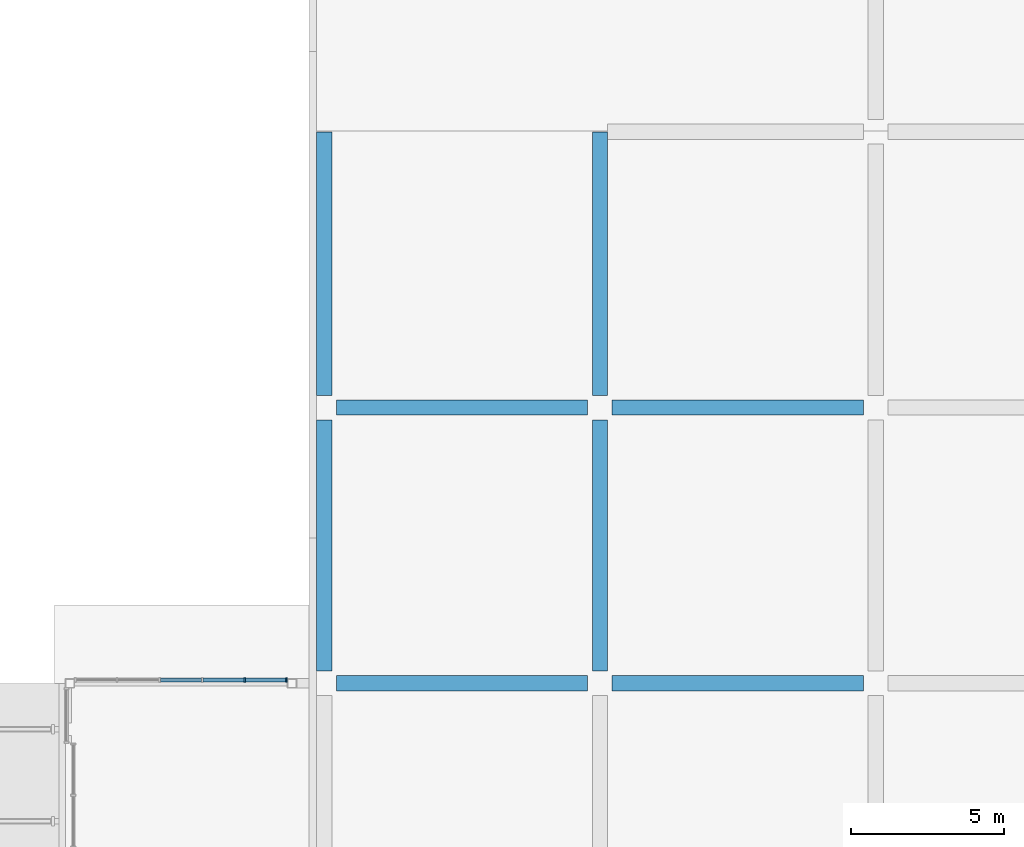
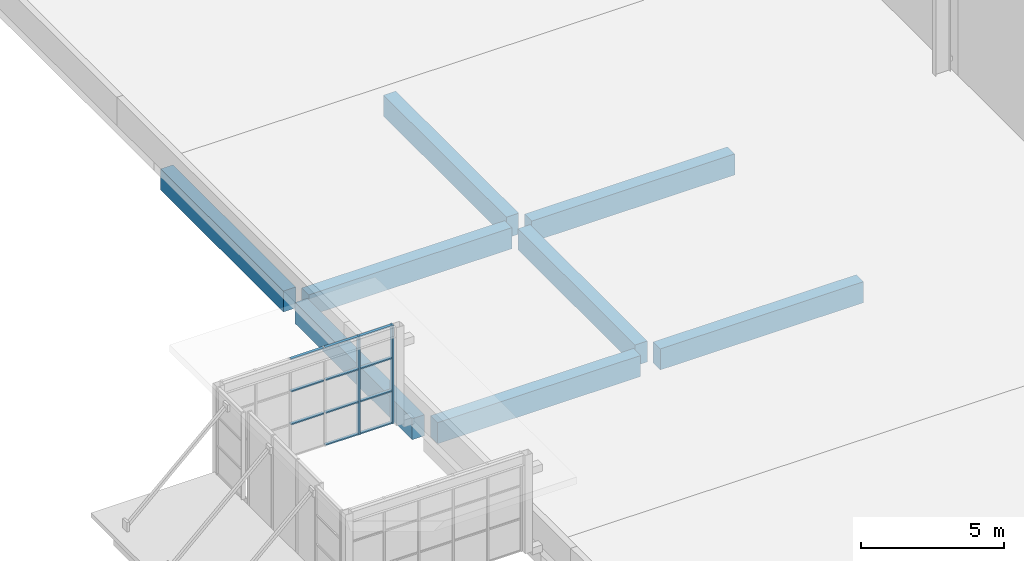
# One storey, part 30 of 182: 13 members, 8 beams, 1 element without a shape of its own.
"""IFC4 building model written with IfcOpenShell, lengths in metres."""

from ifc_helpers import new_model, si_unit, direction, frame, origin, origin_2d, place, context, subcontext, project, spatial, rectangle, extrude, material, material_profile, profile_set, type_object, element, aggregate, save


model = new_model("IFC4")

# Units and contexts
model_context = context("Model", 3, precision=1e-05, world=origin(), true_north=direction((0.0, 1.0)))
body_context = subcontext(model_context, "Body", "Model", "MODEL_VIEW")
ifc_project = project(units=[si_unit("LENGTHUNIT", "METRE"), si_unit("AREAUNIT", "SQUARE_METRE"), si_unit("VOLUMEUNIT", "CUBIC_METRE"), si_unit("PLANEANGLEUNIT", "RADIAN"), si_unit("MASSUNIT", "GRAM", prefix="KILO")], contexts=[model_context])

# Site, building, storey
site_placement = place(None, origin())
site = spatial("IfcSite", under=ifc_project, at=site_placement, CompositionType="ELEMENT")
building_placement = place(site_placement, origin())
building = spatial("IfcBuilding", under=site, at=building_placement, Name="Silverbay Arena", CompositionType="ELEMENT")
storey_placement = place(building_placement, frame((0.0, 0.0, 11.5)))
storey = spatial("IfcBuildingStorey", under=building, at=storey_placement, Name="L02", CompositionType="ELEMENT", Elevation=11.5)

# Curtain wall, members
ifc_material_1 = material(Name="Aluminium framed curtain wall", Category="aluminium")
curtain_wall_type = type_object("IfcCurtainWallType", Name="Curtain wall 6950 x 4200", PredefinedType="NOTDEFINED", material=ifc_material_1)
curtain_wall_placement = place(storey_placement, origin())
curtain_wall = element("IfcCurtainWall", 1, at=curtain_wall_placement, inside=storey, type_object=curtain_wall_type, Name="West entrance hall W1 glazing SB", PredefinedType="NOTDEFINED")
ifc_material_2 = material(Name="Aluminium", Category="aluminium")
ifc_material_profile_1 = material_profile(ifc_material_2, rectangle(XDim=0.159912109375, YDim=0.06005859375, at=origin_2d()), Name="Mullion 60 x 160")
ifc_profile_set_1 = profile_set([ifc_material_profile_1], Name="Aluminium")
member_type_1 = type_object("IfcMemberType", Name="Mullion 60 x 160", PredefinedType="MULLION", material=ifc_profile_set_1)
member_1_placement = place(storey_placement, frame((24.409912109375, 108.110107421875, 0.0), z_axis=(0.0, 0.0, 1.0), x_axis=(0.0, 1.0, 0.0)))
member_1 = element("IfcMember", 2, at=member_1_placement, type_object=member_type_1, Name="CW52 mullion 5", PredefinedType="MULLION", context=body_context, shape_type="SweptSolid", body=[
    extrude(rectangle(XDim=0.159912109375, YDim=0.06005859375, at=origin_2d()), origin(), (0.0, 0.0, 1.0), 4.199951171875),
])
member_2_placement = place(storey_placement, frame((25.77001953125, 108.110107421875, 0.0), z_axis=(0.0, 0.0, 1.0), x_axis=(0.0, 1.0, 0.0)))
member_2 = element("IfcMember", 3, at=member_2_placement, type_object=member_type_1, Name="CW52 mullion 6", PredefinedType="MULLION", context=body_context, shape_type="SweptSolid", body=[
    extrude(rectangle(XDim=0.159912109375, YDim=0.06005859375, at=origin_2d()), origin(), (0.0, 0.0, 1.0), 4.199951171875),
])

# Beams
ifc_material_3 = material(Name="Concrete Grade C45", Category="concrete")
ifc_material_profile_2 = material_profile(ifc_material_3, rectangle(XDim=0.5, YDim=0.89990234375, at=origin_2d()), Name="RC 500x900")
ifc_profile_set_2 = profile_set([ifc_material_profile_2], Name="Concrete Grade C45")
beam_type = type_object("IfcBeamType", Name="RC beam 500x900", PredefinedType="BEAM", material=ifc_profile_set_2)
for number, where, z_axis, x_axis, name in (
    (4, (27.39990234375, 108.0, -0.800048828125), (1.0, 0.0, 0.0), (0.0, 1.0, 0.0), "Floor beam L02 124"),
    (5, (36.39990234375, 108.0, -0.800048828125), (1.0, 0.0, 0.0), (0.0, 1.0, 0.0), "Floor beam L02 125"),
    (6, (27.39990234375, 117.0, -0.800048828125), (1.0, 0.0, 0.0), (0.0, 1.0, 0.0), "Floor beam L02 136"),
    (7, (36.39990234375, 117.0, -0.800048828125), (1.0, 0.0, 0.0), (0.0, 1.0, 0.0), "Floor beam L02 137"),
    (8, (27.0, 108.39990234375, -0.800048828125), (0.0, 1.0, 0.0), (-1.0, 0.0, 0.0), "Floor beam L02 189"),
):
    element("IfcBeam", number, at=place(storey_placement, frame(where, z_axis=z_axis, x_axis=x_axis)), inside=storey, type_object=beam_type, Name=name, PredefinedType="BEAM", context=body_context, shape_type="SweptSolid", body=[
        extrude(rectangle(XDim=0.5, YDim=0.89990234375, at=origin_2d()), origin(), (0.0, 0.0, 1.0), 8.2001953125),
    ])
beam_1_placement = place(storey_placement, frame((27.0, 117.39990234375, -0.800048828125), z_axis=(0.0, 1.0, 0.0), x_axis=(-1.0, 0.0, 0.0)))
element("IfcBeam", 9, at=beam_1_placement, inside=storey, type_object=beam_type, Name="Floor beam L02 190", PredefinedType="BEAM", context=body_context, shape_type="SweptSolid", body=[
    extrude(rectangle(XDim=0.5, YDim=0.89990234375, at=origin_2d()), origin(), (0.0, 0.0, 1.0), 8.60009765625),
])
beam_2_placement = place(storey_placement, frame((36.0, 108.39990234375, -0.800048828125), z_axis=(0.0, 1.0, 0.0), x_axis=(-1.0, 0.0, 0.0)))
element("IfcBeam", 10, at=beam_2_placement, inside=storey, type_object=beam_type, Name="Floor beam L02 199", PredefinedType="BEAM", context=body_context, shape_type="SweptSolid", body=[
    extrude(rectangle(XDim=0.5, YDim=0.89990234375, at=origin_2d()), origin(), (0.0, 0.0, 1.0), 8.2001953125),
])
beam_3_placement = place(storey_placement, frame((36.0, 117.39990234375, -0.800048828125), z_axis=(0.0, 1.0, 0.0), x_axis=(-1.0, 0.0, 0.0)))
element("IfcBeam", 11, at=beam_3_placement, inside=storey, type_object=beam_type, Name="Floor beam L02 200", PredefinedType="BEAM", context=body_context, shape_type="SweptSolid", body=[
    extrude(rectangle(XDim=0.5, YDim=0.89990234375, at=origin_2d()), origin(), (0.0, 0.0, 1.0), 8.60009765625),
])

# Member
ifc_material_4 = material(Name="Aluminium", Category="aluminium")
ifc_material_profile_3 = material_profile(ifc_material_4, rectangle(XDim=0.1201171875, YDim=0.050048828125, at=origin_2d()), Name="Transom 50 x 120")
ifc_profile_set_3 = profile_set([ifc_material_profile_3], Name="Aluminium")
member_type_2 = type_object("IfcMemberType", Name="Transom 50 x 120", PredefinedType="USERDEFINED", material=ifc_profile_set_3)
member_3_placement = place(storey_placement, frame((21.659912109375, 108.110107421875, 1.39990234375), z_axis=(1.0, 0.0, 0.0), x_axis=(0.0, 1.0, 0.0)))
member_3 = element("IfcMember", 12, at=member_3_placement, type_object=member_type_2, Name="CW52 transom 3.2", ObjectType="TRANSOM", PredefinedType="USERDEFINED", context=body_context, shape_type="SweptSolid", body=[
    extrude(rectangle(XDim=0.1201171875, YDim=0.050048828125, at=origin_2d()), origin(), (0.0, 0.0, 1.0), 1.330078125),
])

member_4_placement = place(storey_placement, frame((21.659912109375, 108.110107421875, 2.800048828125), z_axis=(1.0, 0.0, 0.0), x_axis=(0.0, 1.0, 0.0)))
member_4 = element("IfcMember", 13, at=member_4_placement, type_object=member_type_2, Name="CW52 transom 3.3", ObjectType="TRANSOM", PredefinedType="USERDEFINED", context=body_context, shape_type="SweptSolid", body=[
    extrude(rectangle(XDim=0.1201171875, YDim=0.050048828125, at=origin_2d()), origin(), (0.0, 0.0, 1.0), 1.330078125),
])

member_5_placement = place(storey_placement, frame((21.659912109375, 108.110107421875, 4.175048828125), z_axis=(1.0, 0.0, 0.0), x_axis=(0.0, 1.0, 0.0)))
member_5 = element("IfcMember", 14, at=member_5_placement, type_object=member_type_2, Name="CW52 transom 3.4", ObjectType="TRANSOM", PredefinedType="USERDEFINED", context=body_context, shape_type="SweptSolid", body=[
    extrude(rectangle(XDim=0.1201171875, YDim=0.050048828125, at=origin_2d()), origin(), (0.0, 0.0, 1.0), 1.330078125),
])

member_6_placement = place(storey_placement, frame((23.050048828125, 108.110107421875, 0.02490234375), z_axis=(1.0, 0.0, 0.0), x_axis=(0.0, 1.0, 0.0)))
member_6 = element("IfcMember", 15, at=member_6_placement, type_object=member_type_2, Name="CW52 transom 4.1", ObjectType="TRANSOM", PredefinedType="USERDEFINED", context=body_context, shape_type="SweptSolid", body=[
    extrude(rectangle(XDim=0.1201171875, YDim=0.050048828125, at=origin_2d()), origin(), (0.0, 0.0, 1.0), 1.329833984375),
])

member_7_placement = place(storey_placement, frame((23.050048828125, 108.110107421875, 1.39990234375), z_axis=(1.0, 0.0, 0.0), x_axis=(0.0, 1.0, 0.0)))
member_7 = element("IfcMember", 16, at=member_7_placement, type_object=member_type_2, Name="CW52 transom 4.2", ObjectType="TRANSOM", PredefinedType="USERDEFINED", context=body_context, shape_type="SweptSolid", body=[
    extrude(rectangle(XDim=0.1201171875, YDim=0.050048828125, at=origin_2d()), origin(), (0.0, 0.0, 1.0), 1.329833984375),
])

member_8_placement = place(storey_placement, frame((23.050048828125, 108.110107421875, 2.800048828125), z_axis=(1.0, 0.0, 0.0), x_axis=(0.0, 1.0, 0.0)))
member_8 = element("IfcMember", 17, at=member_8_placement, type_object=member_type_2, Name="CW52 transom 4.3", ObjectType="TRANSOM", PredefinedType="USERDEFINED", context=body_context, shape_type="SweptSolid", body=[
    extrude(rectangle(XDim=0.1201171875, YDim=0.050048828125, at=origin_2d()), origin(), (0.0, 0.0, 1.0), 1.329833984375),
])

member_9_placement = place(storey_placement, frame((23.050048828125, 108.110107421875, 4.175048828125), z_axis=(1.0, 0.0, 0.0), x_axis=(0.0, 1.0, 0.0)))
member_9 = element("IfcMember", 18, at=member_9_placement, type_object=member_type_2, Name="CW52 transom 4.4", ObjectType="TRANSOM", PredefinedType="USERDEFINED", context=body_context, shape_type="SweptSolid", body=[
    extrude(rectangle(XDim=0.1201171875, YDim=0.050048828125, at=origin_2d()), origin(), (0.0, 0.0, 1.0), 1.329833984375),
])

member_10_placement = place(storey_placement, frame((24.43994140625, 108.110107421875, 0.02490234375), z_axis=(1.0, 0.0, 0.0), x_axis=(0.0, 1.0, 0.0)))
member_10 = element("IfcMember", 19, at=member_10_placement, type_object=member_type_2, Name="CW52 transom 5.1", ObjectType="TRANSOM", PredefinedType="USERDEFINED", context=body_context, shape_type="SweptSolid", body=[
    extrude(rectangle(XDim=0.1201171875, YDim=0.050048828125, at=origin_2d()), origin(), (0.0, 0.0, 1.0), 1.300048828125),
])

member_11_placement = place(storey_placement, frame((24.43994140625, 108.110107421875, 1.39990234375), z_axis=(1.0, 0.0, 0.0), x_axis=(0.0, 1.0, 0.0)))
member_11 = element("IfcMember", 20, at=member_11_placement, type_object=member_type_2, Name="CW52 transom 5.2", ObjectType="TRANSOM", PredefinedType="USERDEFINED", context=body_context, shape_type="SweptSolid", body=[
    extrude(rectangle(XDim=0.1201171875, YDim=0.050048828125, at=origin_2d()), origin(), (0.0, 0.0, 1.0), 1.300048828125),
])

member_12_placement = place(storey_placement, frame((24.43994140625, 108.110107421875, 2.800048828125), z_axis=(1.0, 0.0, 0.0), x_axis=(0.0, 1.0, 0.0)))
member_12 = element("IfcMember", 21, at=member_12_placement, type_object=member_type_2, Name="CW52 transom 5.3", ObjectType="TRANSOM", PredefinedType="USERDEFINED", context=body_context, shape_type="SweptSolid", body=[
    extrude(rectangle(XDim=0.1201171875, YDim=0.050048828125, at=origin_2d()), origin(), (0.0, 0.0, 1.0), 1.300048828125),
])

member_13_placement = place(storey_placement, frame((24.43994140625, 108.110107421875, 4.175048828125), z_axis=(1.0, 0.0, 0.0), x_axis=(0.0, 1.0, 0.0)))
member_13 = element("IfcMember", 22, at=member_13_placement, type_object=member_type_2, Name="CW52 transom 5.4", ObjectType="TRANSOM", PredefinedType="USERDEFINED", context=body_context, shape_type="SweptSolid", body=[
    extrude(rectangle(XDim=0.1201171875, YDim=0.050048828125, at=origin_2d()), origin(), (0.0, 0.0, 1.0), 1.300048828125),
])

aggregate(curtain_wall, [member_1, member_2, member_3, member_4, member_5, member_6, member_7, member_8, member_9, member_10, member_11, member_12, member_13])

save(model, "model.ifc")
